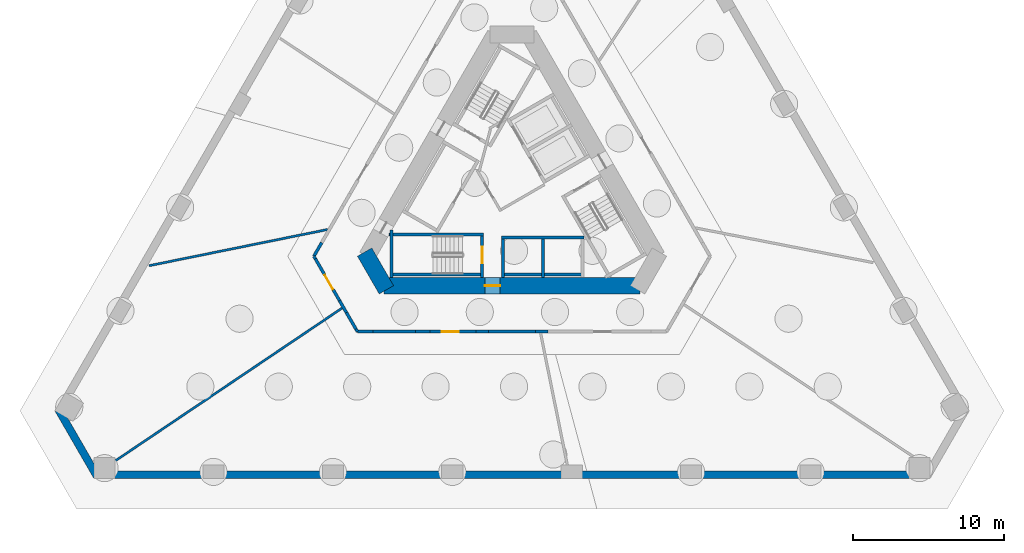
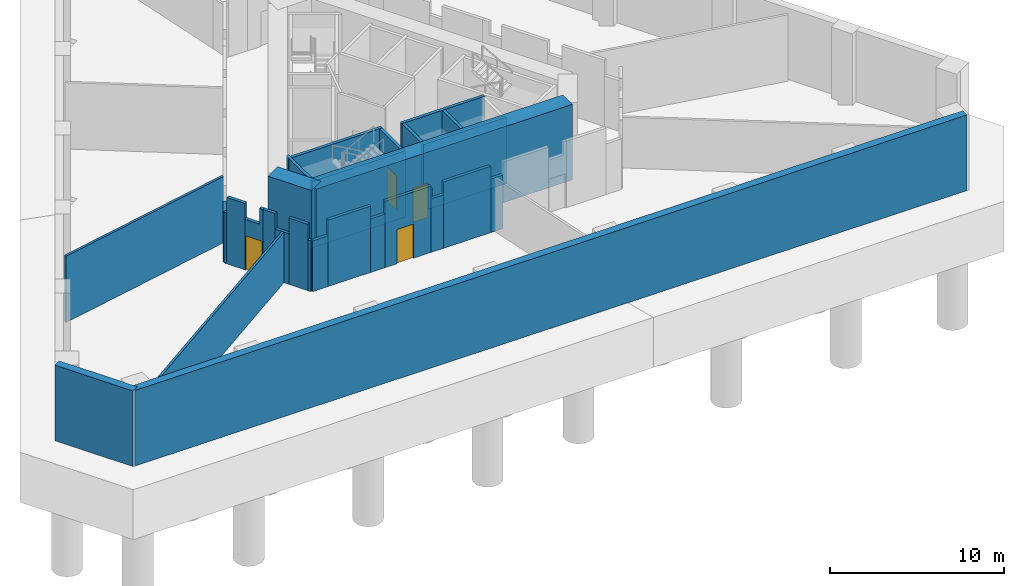
# One storey, part 2 of 7: 29 walls, 4 doors, 4 openings.
"""IFC4 building model written with IfcOpenShell, lengths in metres."""

from ifc_helpers import new_model, si_unit, direction, frame, frame_2d, origin, place, context, subcontext, project, spatial, polyline, rectangle, outline, extrude, material, layer, layer_set, type_object, element, fill, save


model = new_model("IFC4")

# Units and contexts
model_context = context("Model", 3, precision=1e-05, world=origin(), true_north=direction((0.0, 1.0)))
body_context = subcontext(model_context, "Body", "Model", "MODEL_VIEW")
ifc_project = project(units=[si_unit("LENGTHUNIT", "METRE"), si_unit("AREAUNIT", "SQUARE_METRE"), si_unit("VOLUMEUNIT", "CUBIC_METRE"), si_unit("PLANEANGLEUNIT", "RADIAN"), si_unit("MASSUNIT", "GRAM", prefix="KILO")], contexts=[model_context])

# Site, building, storey
site_placement = place(None, origin())
site = spatial("IfcSite", under=ifc_project, at=site_placement, CompositionType="ELEMENT")
building_placement = place(site_placement, origin())
building = spatial("IfcBuilding", under=site, at=building_placement, Name="Tramontana Tower", CompositionType="ELEMENT")
storey_placement = place(building_placement, frame((0.0, 0.0, -5.0)))
storey = spatial("IfcBuildingStorey", under=building, at=storey_placement, Name="B1", CompositionType="ELEMENT", Elevation=-5.0)

# Walls
ifc_material_1 = material(Name="Concrete 50 MPa", Category="concrete")
ifc_layer_1 = layer(ifc_material_1, 0.5)
ifc_layer_set_1 = layer_set([ifc_layer_1], Name="Basement wall 500 50 MPa")
wall_type_1 = type_object("IfcWallType", Name="Basement wall 500 50 MPa", PredefinedType="SHEAR", material=ifc_layer_set_1)
wall_1_placement = place(storey_placement, frame((-30.094482421875, -14.375, -0.300048828125), z_axis=(0.0, 0.0, 1.0), x_axis=(0.50000986103, -0.866019710441, 0.0)))
element("IfcWall", 1, at=wall_1_placement, inside=storey, type_object=wall_type_1, Name="Basement wall 3", PredefinedType="SHEAR", context=body_context, shape_type="SweptSolid", body=[
    extrude(rectangle(XDim=5.1962890625, YDim=0.5, at=frame_2d((2.59814453125, 0.0))), origin(), (0.0, 0.0, 1.0), 5.300048828125),
])
wall_2_placement = place(storey_placement, frame((-27.568603515625, -18.75, -0.300048828125), z_axis=(0.0, 0.0, 1.0), x_axis=(1.0, 0.0, 0.0)))
element("IfcWall", 2, at=wall_2_placement, inside=storey, type_object=wall_type_1, Name="Basement wall 4", PredefinedType="SHEAR", context=body_context, shape_type="SweptSolid", body=[
    extrude(rectangle(XDim=55.13720703125, YDim=0.5, at=frame_2d((27.568603515625, 0.0))), origin(), (0.0, 0.0, 1.0), 5.300048828125),
])
ifc_material_2 = material(Name="Concrete 70 MPa", Category="concrete")
ifc_layer_2 = layer(ifc_material_2, 1.10009765625)
ifc_layer_set_2 = layer_set([ifc_layer_2], Name="Core wall 1100 70 MPa")
wall_type_2 = type_object("IfcWallType", Name="Core wall 1100 70 MPa", PredefinedType="SHEAR", material=ifc_layer_set_2)
wall_3_placement = place(storey_placement, frame((-9.771728515625, -3.97509765625, -0.300048828125), z_axis=(0.0, 0.0, 1.0), x_axis=(0.499995765644, -0.866027848477, 0.0)))
element("IfcWall", 3, at=wall_3_placement, inside=storey, type_object=wall_type_2, Name="Core wall C2 B1", PredefinedType="SHEAR", context=body_context, shape_type="SweptSolid", body=[
    extrude(rectangle(XDim=2.88671875, YDim=1.10009765625, at=frame_2d((1.443359375, 0.0))), origin(), (0.0, 0.0, 1.0), 5.300048828125),
])

# Wall, opening, door
wall_4_placement = place(storey_placement, frame((-8.487060546875, -6.199951171875, -0.300048828125), z_axis=(0.0, 0.0, 1.0), x_axis=(1.0, 0.0, 0.0)))
wall_4 = element("IfcWall", 4, at=wall_4_placement, inside=storey, type_object=wall_type_2, Name="Core wall C3 B1", PredefinedType="SHEAR", context=body_context, shape_type="SweptSolid", body=[
    extrude(rectangle(XDim=16.97412109375, YDim=1.10009765625, at=frame_2d((8.487060546875, 0.0))), origin(), (0.0, 0.0, 1.0), 5.300048828125),
])
opening_1_placement = place(wall_4_placement, frame((6.69189453125, 0.0, 0.300048828125)))
opening_1 = element("IfcOpeningElement", 5, at=opening_1_placement, cuts=wall_4, Name="Opening RG2", PredefinedType="OPENING", context=body_context, shape_type="SweptSolid", body=[
    extrude(rectangle(XDim=1.0, YDim=2.39990234375, at=frame_2d((0.5, 1.199951171875))), frame((0.0, 0.56005859375, 0.0), z_axis=(0.0, -1.0, 0.0), x_axis=(1.0, 0.0, 0.0)), (0.0, 0.0, 1.0), 1.1201171875),
])
ifc_material_3 = material(Name="Painted steel", Category="steel")
door_type_1 = type_object("IfcDoorType", Name="RING DOOR 1000", OperationType="SINGLE_SWING_LEFT", PredefinedType="DOOR", material=ifc_material_3)
door_1_placement = place(opening_1_placement, origin())
door_1 = element("IfcDoor", 6, at=door_1_placement, inside=storey, type_object=door_type_1, Name="Door RG2", OperationType="SINGLE_SWING_RIGHT", OverallHeight=2.39990234375, OverallWidth=1.0, PredefinedType="DOOR", context=body_context, shape_type="SweptSolid", body=[
    extrude(rectangle(XDim=1.0, YDim=2.39990234375, at=frame_2d((0.5, 1.199951171875))), frame((0.0, 0.02490234375, 0.0), z_axis=(0.0, -1.0, 0.0), x_axis=(1.0, 0.0, 0.0)), (0.0, 0.0, 1.0), 0.050048828125),
])
fill(opening_1, door_1)

# Walls
ifc_material_4 = material(Name="Blockwork", Category="masonry")
ifc_layer_3 = layer(ifc_material_4, 0.199951171875)
ifc_layer_set_3 = layer_set([ifc_layer_3], Name="ENTRY WALL 200")
wall_type_3 = type_object("IfcWallType", Name="ENTRY WALL 200", PredefinedType="SOLIDWALL", material=ifc_layer_set_3)
wall_5_placement = place(storey_placement, frame((2.383056640625, -9.25, 0.0), z_axis=(0.0, 0.0, 1.0), x_axis=(-1.0, 0.0, 0.0)))
element("IfcWall", 7, at=wall_5_placement, inside=storey, type_object=wall_type_3, Name="Wall ew2-4", PredefinedType="SOLIDWALL", context=body_context, shape_type="SweptSolid", body=[
    extrude(rectangle(XDim=0.81787109375, YDim=0.199951171875, at=frame_2d((0.408935546875, 0.0))), origin(), (0.0, 0.0, 1.0), 3.75),
])
wall_6_placement = place(storey_placement, frame((1.565185546875, -9.25, 0.0), z_axis=(0.0, 0.0, 1.0), x_axis=(-1.0, 0.0, 0.0)))
element("IfcWall", 8, at=wall_6_placement, inside=storey, type_object=wall_type_3, Name="Wall ew2-5", PredefinedType="SOLIDWALL", context=body_context, shape_type="SweptSolid", body=[
    extrude(rectangle(XDim=3.13037109375, YDim=0.199951171875, at=frame_2d((1.565185546875, 0.0))), origin(), (0.0, 0.0, 1.0), 4.64990234375),
])
wall_7_placement = place(storey_placement, frame((-1.565185546875, -9.25, 0.0), z_axis=(0.0, 0.0, 1.0), x_axis=(-1.0, 0.0, 0.0)))
element("IfcWall", 9, at=wall_7_placement, inside=storey, type_object=wall_type_3, Name="Wall ew2-6", PredefinedType="SOLIDWALL", context=body_context, shape_type="SweptSolid", body=[
    extrude(rectangle(XDim=0.81787109375, YDim=0.199951171875, at=frame_2d((0.408935546875, 0.0))), origin(), (0.0, 0.0, 1.0), 3.75),
])

# Wall, opening, door
wall_8_placement = place(storey_placement, frame((-2.383056640625, -9.25, 0.0), z_axis=(0.0, 0.0, 1.0), x_axis=(-1.0, 0.0, 0.0)))
wall_8 = element("IfcWall", 10, at=wall_8_placement, inside=storey, type_object=wall_type_3, Name="Wall ew2-7", PredefinedType="SOLIDWALL", context=body_context, shape_type="SweptSolid", body=[
    extrude(rectangle(XDim=3.064453125, YDim=0.199951171875, at=frame_2d((1.5322265625, 0.0))), origin(), (0.0, 0.0, 1.0), 4.64990234375),
])
opening_2_placement = place(wall_8_placement, frame((1.162353515625, 0.0, 0.0)))
opening_2 = element("IfcOpeningElement", 11, at=opening_2_placement, cuts=wall_8, Name="Opening B1-06", PredefinedType="OPENING", context=body_context, shape_type="SweptSolid", body=[
    extrude(rectangle(XDim=1.10009765625, YDim=2.39990234375, at=frame_2d((0.550048828125, 1.199951171875))), frame((0.0, 0.10986328125, 0.0), z_axis=(0.0, -1.0, 0.0), x_axis=(1.0, 0.0, 0.0)), (0.0, 0.0, 1.0), 0.219970703125),
])
ifc_material_5 = material(Name="Painted timber", Category="wood")
door_type_2 = type_object("IfcDoorType", Name="DOOR ENTRY 1100", OperationType="SINGLE_SWING_LEFT", PredefinedType="DOOR", material=ifc_material_5)
door_2_placement = place(opening_2_placement, origin())
door_2 = element("IfcDoor", 12, at=door_2_placement, inside=storey, type_object=door_type_2, Name="Door B1-06", OperationType="SINGLE_SWING_RIGHT", OverallHeight=2.39990234375, OverallWidth=1.10009765625, PredefinedType="DOOR", context=body_context, shape_type="SweptSolid", body=[
    extrude(rectangle(XDim=1.10009765625, YDim=2.39990234375, at=frame_2d((0.550048828125, 1.199951171875))), frame((0.0, 0.02490234375, 0.0), z_axis=(0.0, -1.0, 0.0), x_axis=(1.0, 0.0, 0.0)), (0.0, 0.0, 1.0), 0.050048828125),
])
fill(opening_2, door_2)

# Walls
wall_9_placement = place(storey_placement, frame((-5.447509765625, -9.25, 0.0), z_axis=(0.0, 0.0, 1.0), x_axis=(-1.0, 0.0, 0.0)))
element("IfcWall", 13, at=wall_9_placement, inside=storey, type_object=wall_type_3, Name="Wall ew2-8", PredefinedType="SOLIDWALL", context=body_context, shape_type="SweptSolid", body=[
    extrude(rectangle(XDim=0.949951171875, YDim=0.199951171875, at=frame_2d((0.47509765625, 0.0))), origin(), (0.0, 0.0, 1.0), 3.75),
])
wall_10_placement = place(storey_placement, frame((-6.3974609375, -9.25, 0.0), z_axis=(0.0, 0.0, 1.0), x_axis=(-1.0, 0.0, 0.0)))
element("IfcWall", 14, at=wall_10_placement, inside=storey, type_object=wall_type_3, Name="Wall ew2-9", PredefinedType="SOLIDWALL", context=body_context, shape_type="SweptSolid", body=[
    extrude(rectangle(XDim=2.815185546875, YDim=0.199951171875, at=frame_2d((1.40771484375, 0.0))), origin(), (0.0, 0.0, 1.0), 4.64990234375),
])
wall_11_placement = place(storey_placement, frame((-9.212646484375, -9.25, 0.0), z_axis=(0.0, 0.0, 1.0), x_axis=(-1.0, 0.0, 0.0)))
element("IfcWall", 15, at=wall_11_placement, inside=storey, type_object=wall_type_3, Name="Wall ew2-10", PredefinedType="SOLIDWALL", context=body_context, shape_type="SweptSolid", body=[
    extrude(rectangle(XDim=1.035400390625, YDim=0.199951171875, at=frame_2d((0.517578125, 0.0))), origin(), (0.0, 0.0, 1.0), 3.550048828125),
])
wall_12_placement = place(storey_placement, frame((-10.248046875, -9.25, 0.0), z_axis=(0.0, 0.0, 1.0), x_axis=(-0.499865263774, 0.866103179807, 0.0)))
element("IfcWall", 16, at=wall_12_placement, inside=storey, type_object=wall_type_3, Name="Wall ew3-0", PredefinedType="SOLIDWALL", context=body_context, shape_type="SweptSolid", body=[
    extrude(rectangle(XDim=0.197265625, YDim=0.199951171875, at=frame_2d((0.0986328125, 0.0))), origin(), (0.0, 0.0, 1.0), 3.550048828125),
])
wall_13_placement = place(storey_placement, frame((-10.3466796875, -9.0791015625, 0.0), z_axis=(0.0, 0.0, 1.0), x_axis=(-0.499911523785, 0.866076479525, 0.0)))
element("IfcWall", 17, at=wall_13_placement, inside=storey, type_object=wall_type_3, Name="Wall ew3-1", PredefinedType="SOLIDWALL", context=body_context, shape_type="SweptSolid", body=[
    extrude(rectangle(XDim=1.266845703125, YDim=0.199951171875, at=frame_2d((0.63330078125, 0.0))), origin(), (0.0, 0.0, 1.0), 4.64990234375),
])
wall_14_placement = place(storey_placement, frame((-10.97998046875, -7.98193359375, 0.0), z_axis=(0.0, 0.0, 1.0), x_axis=(-0.500097243556, 0.865969252911, 0.0)))
element("IfcWall", 18, at=wall_14_placement, inside=storey, type_object=wall_type_3, Name="Wall ew3-2", PredefinedType="SOLIDWALL", context=body_context, shape_type="SweptSolid", body=[
    extrude(rectangle(XDim=0.902099609375, YDim=0.199951171875, at=frame_2d((0.451171875, 0.0))), origin(), (0.0, 0.0, 1.0), 3.550048828125),
])
wall_15_placement = place(storey_placement, frame((-11.43115234375, -7.20068359375, 0.0), z_axis=(0.0, 0.0, 1.0), x_axis=(-0.500017246033, 0.866015446554, 0.0)))
element("IfcWall", 19, at=wall_15_placement, inside=storey, type_object=wall_type_3, Name="Wall ew3-3", PredefinedType="SOLIDWALL", context=body_context, shape_type="SweptSolid", body=[
    extrude(rectangle(XDim=0.8125, YDim=0.199951171875, at=frame_2d((0.40625, 0.0))), origin(), (0.0, 0.0, 1.0), 4.64990234375),
])

# Wall, opening, door
wall_16_placement = place(storey_placement, frame((-11.83740234375, -6.4970703125, 0.0), z_axis=(0.0, 0.0, 1.0), x_axis=(-0.499969057507, 0.866043267704, 0.0)))
wall_16 = element("IfcWall", 20, at=wall_16_placement, inside=storey, type_object=wall_type_3, Name="Wall ew3-4", PredefinedType="SOLIDWALL", context=body_context, shape_type="SweptSolid", body=[
    extrude(outline(polyline([(0.0, 0.0), (1.19970703125, 0.0), (1.199951171875, 3.550048828125), (0.228271484375, 3.550048828125), (0.228271484375, 4.64990234375), (0.0, 4.64990234375), (0.0, 0.0)])), frame((0.0, 0.10009765625, 0.0), z_axis=(0.0, -1.0, 0.0), x_axis=(1.0, 0.0, 0.0)), (0.0, 0.0, 1.0), 0.199951171875),
])
opening_3_placement = place(wall_16_placement, frame((0.050048828125, 0.0, 0.0)))
opening_3 = element("IfcOpeningElement", 21, at=opening_3_placement, cuts=wall_16, Name="Opening B1-05", PredefinedType="OPENING", context=body_context, shape_type="SweptSolid", body=[
    extrude(rectangle(XDim=1.10009765625, YDim=2.39990234375, at=frame_2d((0.550048828125, 1.199951171875))), frame((0.0, 0.10986328125, 0.0), z_axis=(0.0, -1.0, 0.0), x_axis=(1.0, 0.0, 0.0)), (0.0, 0.0, 1.0), 0.219970703125),
])
door_3_placement = place(opening_3_placement, origin())
door_3 = element("IfcDoor", 22, at=door_3_placement, inside=storey, type_object=door_type_2, Name="Door B1-05", OperationType="SINGLE_SWING_LEFT", OverallHeight=2.39990234375, OverallWidth=1.10009765625, PredefinedType="DOOR", context=body_context, shape_type="SweptSolid", body=[
    extrude(rectangle(XDim=1.10009765625, YDim=2.39990234375, at=frame_2d((0.550048828125, 1.199951171875))), frame((0.0, 0.02490234375, 0.0), z_axis=(0.0, -1.0, 0.0), x_axis=(1.0, 0.0, 0.0)), (0.0, 0.0, 1.0), 0.050048828125),
])
fill(opening_3, door_3)

# Walls
wall_17_placement = place(storey_placement, frame((-12.437255859375, -5.4580078125, 0.0), z_axis=(0.0, 0.0, 1.0), x_axis=(-0.500063610975, 0.865988674856, 0.0)))
element("IfcWall", 23, at=wall_17_placement, inside=storey, type_object=wall_type_3, Name="Wall ew3-5", PredefinedType="SOLIDWALL", context=body_context, shape_type="SweptSolid", body=[
    extrude(rectangle(XDim=1.197509765625, YDim=0.199951171875, at=frame_2d((0.5986328125, 0.0))), origin(), (0.0, 0.0, 1.0), 4.64990234375),
])
wall_18_placement = place(storey_placement, frame((-13.0361328125, -4.4208984375, 0.0), z_axis=(0.0, 0.0, 1.0), x_axis=(-0.499865263774, 0.866103179807, 0.0)))
element("IfcWall", 24, at=wall_18_placement, inside=storey, type_object=wall_type_3, Name="Wall ew3-6", PredefinedType="SOLIDWALL", context=body_context, shape_type="SweptSolid", body=[
    extrude(rectangle(XDim=0.197265625, YDim=0.199951171875, at=frame_2d((0.0986328125, 0.0))), origin(), (0.0, 0.0, 1.0), 3.550048828125),
])
wall_19_placement = place(storey_placement, frame((-13.134765625, -4.25, 0.0), z_axis=(0.0, 0.0, 1.0), x_axis=(0.500171514983, 0.865926356915, 0.0)))
element("IfcWall", 25, at=wall_19_placement, inside=storey, type_object=wall_type_3, Name="Wall ew4-0", PredefinedType="SOLIDWALL", context=body_context, shape_type="SweptSolid", body=[
    extrude(rectangle(XDim=1.035400390625, YDim=0.199951171875, at=frame_2d((0.517578125, 0.0))), origin(), (0.0, 0.0, 1.0), 3.550048828125),
])
ifc_material_6 = material(Name="Gypsum board partition")
ifc_layer_4 = layer(ifc_material_6, 0.14990234375)
ifc_layer_set_4 = layer_set([ifc_layer_4], Name="PARTITION 150")
wall_type_4 = type_object("IfcWallType", Name="PARTITION 150", PredefinedType="PARTITIONING", material=ifc_layer_set_4)
wall_20_placement = place(storey_placement, frame((-12.2275390625, -2.478759765625, 0.0), z_axis=(0.0, 0.0, 1.0), x_axis=(-0.980068828233, -0.198658228942, 0.0)))
element("IfcWall", 26, at=wall_20_placement, inside=storey, type_object=wall_type_4, Name="Wall fw-pw00", PredefinedType="PARTITIONING", context=body_context, shape_type="SweptSolid", body=[
    extrude(rectangle(XDim=12.07568359375, YDim=0.14990234375, at=frame_2d((6.037841796875, 0.0))), origin(), (0.0, 0.0, 1.0), 4.64990234375),
])
wall_21_placement = place(storey_placement, frame((-11.259765625, -7.685546875, 0.0), z_axis=(0.0, 0.0, 1.0), x_axis=(-0.829436209698, -0.558601444718, 0.0)))
element("IfcWall", 27, at=wall_21_placement, inside=storey, type_object=wall_type_4, Name="Wall fw-pw01-0", PredefinedType="PARTITIONING", context=body_context, shape_type="SweptSolid", body=[
    extrude(rectangle(XDim=19.306884765625, YDim=0.14990234375, at=frame_2d((9.6533203125, 0.0))), origin(), (0.0, 0.0, 1.0), 3.550048828125),
])
ifc_material_7 = material(Name="Concrete 70 MPa", Category="concrete")
ifc_layer_5 = layer(ifc_material_7, 0.199951171875)
ifc_layer_set_5 = layer_set([ifc_layer_5], Name="Concrete 70 MPa, 200 mm")
wall_type_5 = type_object("IfcWallType", Name="RC SHAFT BACK WALL 200", PredefinedType="SOLIDWALL", material=ifc_layer_set_5)
wall_22_placement = place(storey_placement, frame((-8.080078125, -5.449951171875, 0.0), z_axis=(0.0, 0.0, 1.0), x_axis=(1.0, 0.0, 0.0)))
element("IfcWall", 28, at=wall_22_placement, inside=storey, type_object=wall_type_5, Name="Wall st2-back", PredefinedType="SOLIDWALL", context=body_context, shape_type="SweptSolid", body=[
    extrude(rectangle(XDim=6.2001953125, YDim=0.199951171875, at=frame_2d((3.10009765625, 0.0))), origin(), (0.0, 0.0, 1.0), 4.64990234375),
])
wall_23_placement = place(storey_placement, frame((-0.7099609375, -5.449951171875, 0.0), z_axis=(0.0, 0.0, 1.0), x_axis=(1.0, 0.0, 0.0)))
element("IfcWall", 29, at=wall_23_placement, inside=storey, type_object=wall_type_5, Name="Wall row1-back", PredefinedType="SOLIDWALL", context=body_context, shape_type="SweptSolid", body=[
    extrude(rectangle(XDim=5.5, YDim=0.199951171875, at=frame_2d((2.75, 0.0))), origin(), (0.0, 0.0, 1.0), 4.64990234375),
])
ifc_material_8 = material(Name="Concrete 70 MPa", Category="concrete")
ifc_layer_6 = layer(ifc_material_8, 0.199951171875)
ifc_layer_set_6 = layer_set([ifc_layer_6], Name="Concrete 70 MPa, 200 mm")
wall_type_6 = type_object("IfcWallType", Name="RC STAIR AND SHAFT WALL 200", PredefinedType="SOLIDWALL", material=ifc_layer_set_6)
wall_24_placement = place(storey_placement, frame((-8.140625, -2.800048828125, 0.0), z_axis=(0.0, 0.0, 1.0), x_axis=(1.0, 0.0, 0.0)))
element("IfcWall", 30, at=wall_24_placement, inside=storey, type_object=wall_type_6, Name="Wall st2-front", PredefinedType="SOLIDWALL", context=body_context, shape_type="SweptSolid", body=[
    extrude(rectangle(XDim=6.2607421875, YDim=0.199951171875, at=frame_2d((3.13037109375, 0.0))), origin(), (0.0, 0.0, 1.0), 4.64990234375),
])
wall_25_placement = place(storey_placement, frame((-7.97998046875, -2.521728515625, 0.0), z_axis=(0.0, 0.0, 1.0), x_axis=(0.0, -1.0, 0.0)))
element("IfcWall", 31, at=wall_25_placement, inside=storey, type_object=wall_type_6, Name="Wall st2-far", PredefinedType="SOLIDWALL", context=body_context, shape_type="SweptSolid", body=[
    extrude(rectangle(XDim=3.128173828125, YDim=0.199951171875, at=frame_2d((1.56396484375, 0.0))), origin(), (0.0, 0.0, 1.0), 4.64990234375),
])

# Wall, opening, door
wall_26_placement = place(storey_placement, frame((-1.97998046875, -2.89990234375, 0.0), z_axis=(0.0, 0.0, 1.0), x_axis=(0.0, -1.0, 0.0)))
wall_26 = element("IfcWall", 32, at=wall_26_placement, inside=storey, type_object=wall_type_6, Name="Wall st2-near", PredefinedType="SOLIDWALL", context=body_context, shape_type="SweptSolid", body=[
    extrude(rectangle(XDim=2.75, YDim=0.199951171875, at=frame_2d((1.375, 0.0))), origin(), (0.0, 0.0, 1.0), 4.64990234375),
])
opening_4_placement = place(wall_26_placement, frame((0.72509765625, 0.0, 0.0)))
opening_4 = element("IfcOpeningElement", 33, at=opening_4_placement, cuts=wall_26, Name="Opening SD2", PredefinedType="OPENING", context=body_context, shape_type="SweptSolid", body=[
    extrude(rectangle(XDim=1.10009765625, YDim=2.39990234375, at=frame_2d((0.550048828125, 1.199951171875))), frame((0.0, 0.10986328125, 0.0), z_axis=(0.0, -1.0, 0.0), x_axis=(1.0, 0.0, 0.0)), (0.0, 0.0, 1.0), 0.219970703125),
])
ifc_material_9 = material(Name="Painted steel", Category="steel")
door_type_3 = type_object("IfcDoorType", Name="STAIR DOOR 1100", OperationType="SINGLE_SWING_LEFT", PredefinedType="DOOR", material=ifc_material_9)
door_4_placement = place(opening_4_placement, origin())
door_4 = element("IfcDoor", 34, at=door_4_placement, inside=storey, type_object=door_type_3, Name="Door SD2", OperationType="SINGLE_SWING_LEFT", OverallHeight=2.39990234375, OverallWidth=1.10009765625, PredefinedType="DOOR", context=body_context, shape_type="SweptSolid", body=[
    extrude(rectangle(XDim=1.10009765625, YDim=2.39990234375, at=frame_2d((0.550048828125, 1.199951171875))), frame((0.0, 0.02490234375, 0.0), z_axis=(0.0, -1.0, 0.0), x_axis=(1.0, 0.0, 0.0)), (0.0, 0.0, 1.0), 0.050048828125),
])
fill(opening_4, door_4)

# Walls
wall_27_placement = place(storey_placement, frame((-0.7099609375, -3.0, 0.0), z_axis=(0.0, 0.0, 1.0), x_axis=(1.0, 0.0, 0.0)))
element("IfcWall", 35, at=wall_27_placement, inside=storey, type_object=wall_type_6, Name="Wall row1-front", PredefinedType="SOLIDWALL", context=body_context, shape_type="SweptSolid", body=[
    extrude(rectangle(XDim=5.5, YDim=0.199951171875, at=frame_2d((2.75, 0.0))), origin(), (0.0, 0.0, 1.0), 4.64990234375),
])
for number, where, z_axis, x_axis, name in (
    (36, (-0.610107421875, -3.10009765625, 0.0), (0.0, 0.0, 1.0), (0.0, -1.0, 0.0), "Wall row1-side0"),
    (37, (2.0400390625, -3.10009765625, 0.0), (0.0, 0.0, 1.0), (0.0, -1.0, 0.0), "Wall row1-side1"),
):
    element("IfcWall", number, at=place(storey_placement, frame(where, z_axis=z_axis, x_axis=x_axis)), inside=storey, type_object=wall_type_6, Name=name, PredefinedType="SOLIDWALL", context=body_context, shape_type="SweptSolid", body=[
        extrude(rectangle(XDim=2.5498046875, YDim=0.199951171875, at=frame_2d((1.27490234375, 0.0))), origin(), (0.0, 0.0, 1.0), 4.64990234375),
    ])

save(model, "model.ifc")
